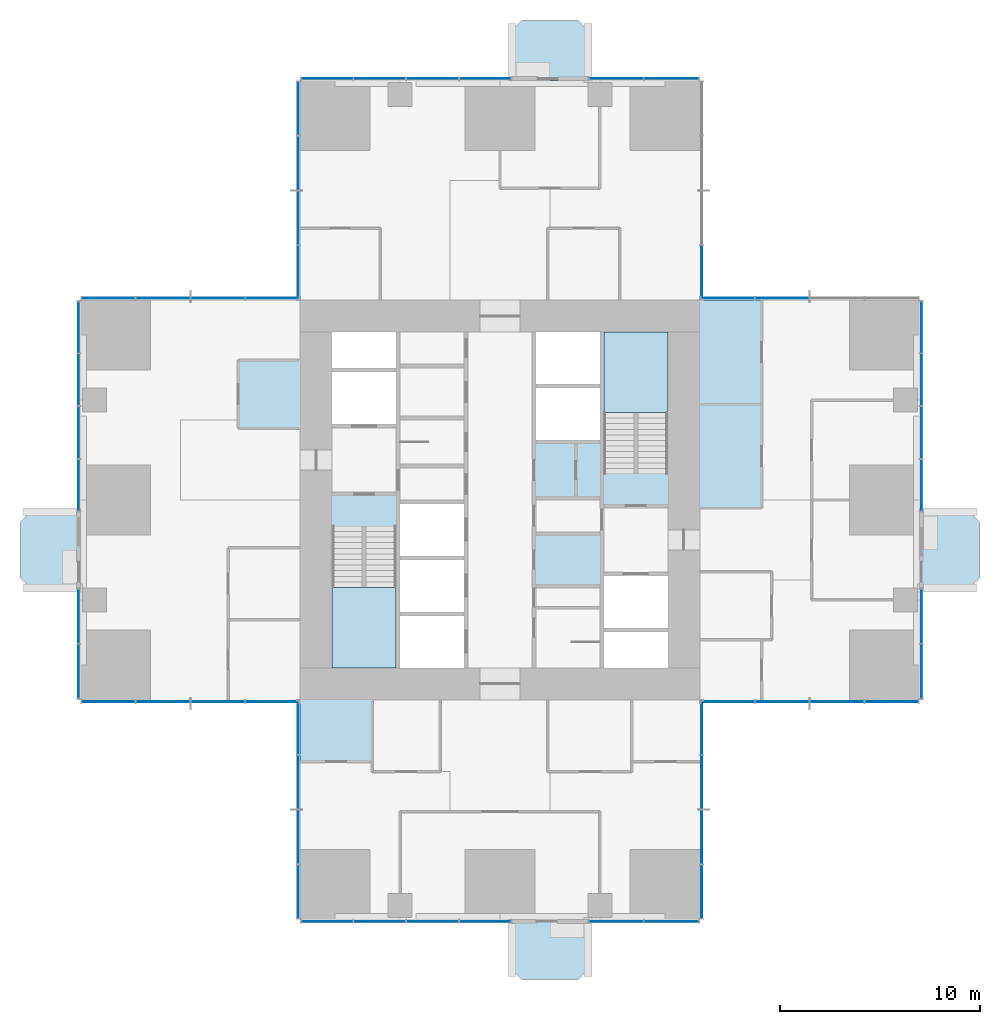
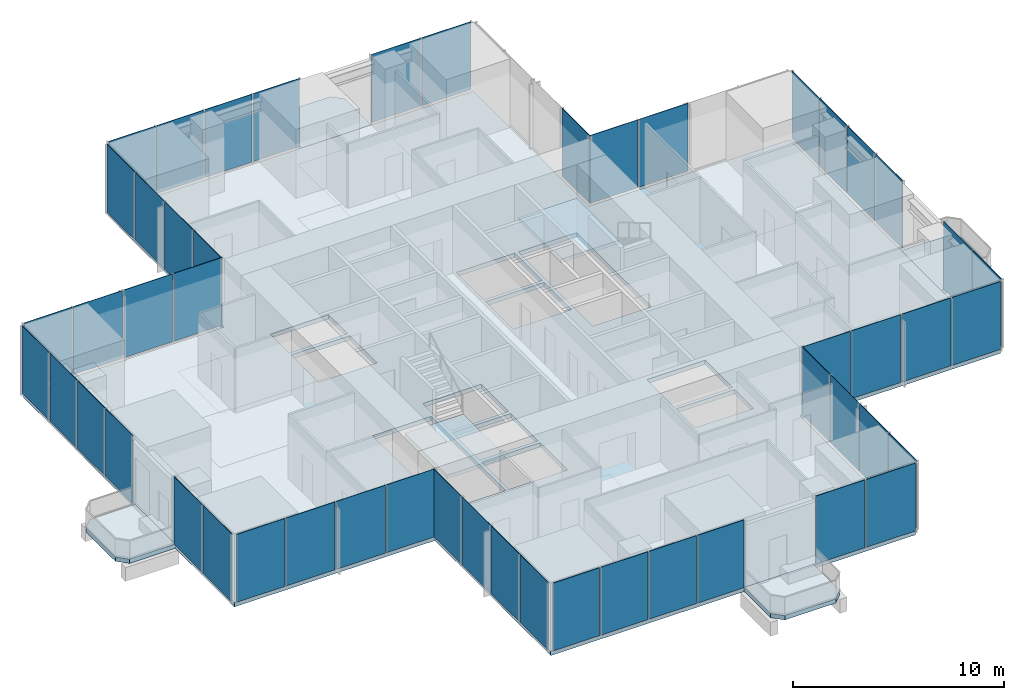
# One storey, part 7 of 13: 51 plates, 7 slabs, 18 elements without a shape of their own.
"""IFC4 building model written with IfcOpenShell, lengths in metres."""

from ifc_helpers import new_model, si_unit, direction, frame, origin, origin_2d, place, context, subcontext, project, spatial, polyline, rectangle, outline, extrude, material, layer, layer_set, type_object, element, aggregate, save


model = new_model("IFC4")

# Units and contexts
model_context = context("Model", 3, precision=1e-05, world=origin(), true_north=direction((0.0, 1.0)))
body_context = subcontext(model_context, "Body", "Model", "MODEL_VIEW")
ifc_project = project(units=[si_unit("LENGTHUNIT", "METRE"), si_unit("AREAUNIT", "SQUARE_METRE"), si_unit("VOLUMEUNIT", "CUBIC_METRE"), si_unit("PLANEANGLEUNIT", "RADIAN"), si_unit("MASSUNIT", "GRAM", prefix="KILO")], contexts=[model_context])

# Site, building, storey
site_placement = place(None, origin())
site = spatial("IfcSite", under=ifc_project, at=site_placement, CompositionType="ELEMENT")
building_placement = place(site_placement, origin())
building = spatial("IfcBuilding", under=site, at=building_placement, Name="Svetlomir Tower", CompositionType="ELEMENT")
storey_placement = place(building_placement, frame((0.0, 0.0, 96.5)))
storey = spatial("IfcBuildingStorey", under=building, at=storey_placement, Name="L22", CompositionType="ELEMENT", Elevation=96.5)

# Slabs
ifc_material_1 = material(Name="Concrete C60/75", Category="concrete")
ifc_layer_1 = layer(ifc_material_1, 0.25)
ifc_layer_set_1 = layer_set([ifc_layer_1], Name="Concrete C60/75")
slab_type_1 = type_object("IfcSlabType", Name="BALCONY SLAB 250", PredefinedType="FLOOR", material=ifc_layer_set_1)
slab_1_placement = place(storey_placement, frame((0.0, 0.0, -0.25)))
element("IfcSlab", 1, at=slab_1_placement, inside=storey, type_object=slab_type_1, Name="L22 S planted balcony", PredefinedType="FLOOR", context=body_context, shape_type="SweptSolid", body=[
    extrude(outline(polyline([(21.60009765625, -2.5), (22.10009765625, -3.0), (24.89990234375, -3.0), (25.39990234375, -2.5), (25.39990234375, 0.0), (21.60009765625, 0.0), (21.60009765625, -2.5)])), origin(), (0.0, 0.0, 1.0), 0.25),
])
slab_2_placement = place(storey_placement, frame((0.0, 0.0, -0.25)))
element("IfcSlab", 2, at=slab_2_placement, inside=storey, type_object=slab_type_1, Name="L22 E planted balcony", PredefinedType="FLOOR", context=body_context, shape_type="SweptSolid", body=[
    extrude(outline(polyline([(42.0, 16.60009765625), (44.5, 16.60009765625), (45.0, 17.10009765625), (45.0, 19.89990234375), (44.5, 20.39990234375), (42.0, 20.39990234375), (42.0, 16.60009765625)])), origin(), (0.0, 0.0, 1.0), 0.25),
])
slab_3_placement = place(storey_placement, frame((0.0, 0.0, -0.25)))
element("IfcSlab", 3, at=slab_3_placement, inside=storey, type_object=slab_type_1, Name="L22 N planted balcony", PredefinedType="FLOOR", context=body_context, shape_type="SweptSolid", body=[
    extrude(outline(polyline([(21.60009765625, 42.0), (25.39990234375, 42.0), (25.39990234375, 44.5), (24.89990234375, 45.0), (22.10009765625, 45.0), (21.60009765625, 44.5), (21.60009765625, 42.0)])), origin(), (0.0, 0.0, 1.0), 0.25),
])
slab_4_placement = place(storey_placement, frame((0.0, 0.0, -0.25)))
element("IfcSlab", 4, at=slab_4_placement, inside=storey, type_object=slab_type_1, Name="L22 W planted balcony", PredefinedType="FLOOR", context=body_context, shape_type="SweptSolid", body=[
    extrude(outline(polyline([(-2.5, 16.60009765625), (0.0, 16.60009765625), (0.0, 20.39990234375), (-2.5, 20.39990234375), (-3.0, 19.89990234375), (-3.0, 17.10009765625), (-2.5, 16.60009765625)])), origin(), (0.0, 0.0, 1.0), 0.25),
])

# Curtain wall, plates
ifc_material_2 = material(Name="Bronze anodised aluminium curtain wall", Category="aluminium")
curtain_wall_type = type_object("IfcCurtainWallType", Name="CURTAIN WALL CW1 TOWER OFFICE", PredefinedType="NOTDEFINED", material=ifc_material_2)
curtain_wall_1_placement = place(storey_placement, origin())
curtain_wall_1 = element("IfcCurtainWall", 5, at=curtain_wall_1_placement, inside=storey, type_object=curtain_wall_type, Name="Curtain wall CW1 L22", PredefinedType="NOTDEFINED")
ifc_material_3 = material(Name="Tinted double glazed unit", Category="glass")
ifc_layer_2 = layer(ifc_material_3, 0.031982421875)
ifc_layer_set_2 = layer_set([ifc_layer_2], Name="Tinted double glazed unit")
plate_type = type_object("IfcPlateType", Name="CW1 GLAZED PANEL 32", PredefinedType="CURTAIN_PANEL", material=ifc_layer_set_2)
plate_1_placement = place(storey_placement, frame((12.34130859375, -0.10009765625, 0.06494140625), z_axis=(0.0, 0.0, 1.0), x_axis=(1.0, 0.0, 0.0)))
plate_1 = element("IfcPlate", 6, at=plate_1_placement, type_object=plate_type, Name="CW1 panel 1.1", PredefinedType="CURTAIN_PANEL", context=body_context, shape_type="SweptSolid", body=[
    extrude(rectangle(XDim=2.552490234375, YDim=0.031982421875, at=origin_2d()), origin(), (0.0, 0.0, 1.0), 3.93505859375),
])
plate_2_placement = place(storey_placement, frame((14.97509765625, -0.10009765625, 0.06494140625), z_axis=(0.0, 0.0, 1.0), x_axis=(1.0, 0.0, 0.0)))
plate_2 = element("IfcPlate", 7, at=plate_2_placement, type_object=plate_type, Name="CW1 panel 2.1", PredefinedType="CURTAIN_PANEL", context=body_context, shape_type="SweptSolid", body=[
    extrude(rectangle(XDim=2.5849609375, YDim=0.031982421875, at=origin_2d()), origin(), (0.0, 0.0, 1.0), 3.93505859375),
])
plate_3_placement = place(storey_placement, frame((17.625, -0.10009765625, 0.06494140625), z_axis=(0.0, 0.0, 1.0), x_axis=(1.0, 0.0, 0.0)))
plate_3 = element("IfcPlate", 8, at=plate_3_placement, type_object=plate_type, Name="CW1 panel 3.1", PredefinedType="CURTAIN_PANEL", context=body_context, shape_type="SweptSolid", body=[
    extrude(rectangle(XDim=2.5849609375, YDim=0.031982421875, at=origin_2d()), origin(), (0.0, 0.0, 1.0), 3.93505859375),
])
plate_4_placement = place(storey_placement, frame((20.2587890625, -0.10009765625, 0.06494140625), z_axis=(0.0, 0.0, 1.0), x_axis=(1.0, 0.0, 0.0)))
plate_4 = element("IfcPlate", 9, at=plate_4_placement, type_object=plate_type, Name="CW1 panel 4.1", PredefinedType="CURTAIN_PANEL", context=body_context, shape_type="SweptSolid", body=[
    extrude(rectangle(XDim=2.552490234375, YDim=0.031982421875, at=origin_2d()), origin(), (0.0, 0.0, 1.0), 3.93505859375),
])
aggregate(curtain_wall_1, [plate_1, plate_2, plate_3, plate_4])

curtain_wall_2_placement = place(storey_placement, origin())
curtain_wall_2 = element("IfcCurtainWall", 10, at=curtain_wall_2_placement, inside=storey, type_object=curtain_wall_type, Name="Curtain wall CW1 L22", PredefinedType="NOTDEFINED")
plate_5_placement = place(storey_placement, frame((26.816162109375, -0.10009765625, 0.06494140625), z_axis=(0.0, 0.0, 1.0), x_axis=(1.0, 0.0, 0.0)))
plate_5 = element("IfcPlate", 11, at=plate_5_placement, type_object=plate_type, Name="CW1 panel 1.1", PredefinedType="CURTAIN_PANEL", context=body_context, shape_type="SweptSolid", body=[
    extrude(rectangle(XDim=2.702392578125, YDim=0.031982421875, at=origin_2d()), origin(), (0.0, 0.0, 1.0), 3.93505859375),
])
plate_6_placement = place(storey_placement, frame((29.583740234375, -0.10009765625, 0.06494140625), z_axis=(0.0, 0.0, 1.0), x_axis=(1.0, 0.0, 0.0)))
plate_6 = element("IfcPlate", 12, at=plate_6_placement, type_object=plate_type, Name="CW1 panel 2.1", PredefinedType="CURTAIN_PANEL", context=body_context, shape_type="SweptSolid", body=[
    extrude(rectangle(XDim=2.702392578125, YDim=0.031982421875, at=origin_2d()), origin(), (0.0, 0.0, 1.0), 3.93505859375),
])
aggregate(curtain_wall_2, [plate_5, plate_6])

curtain_wall_3_placement = place(storey_placement, origin())
curtain_wall_3 = element("IfcCurtainWall", 13, at=curtain_wall_3_placement, inside=storey, type_object=curtain_wall_type, Name="Curtain wall CW1 L22", PredefinedType="NOTDEFINED")
plate_7_placement = place(storey_placement, frame((31.10009765625, 1.391357421875, 0.06494140625), z_axis=(0.0, 0.0, 1.0), x_axis=(0.0, 1.0, 0.0)))
plate_7 = element("IfcPlate", 14, at=plate_7_placement, type_object=plate_type, Name="CW1 panel 1.1", PredefinedType="CURTAIN_PANEL", context=body_context, shape_type="SweptSolid", body=[
    extrude(rectangle(XDim=2.652587890625, YDim=0.031982421875, at=origin_2d()), origin(), (0.0, 0.0, 1.0), 3.93505859375),
])
plate_8_placement = place(storey_placement, frame((31.10009765625, 4.125, 0.06494140625), z_axis=(0.0, 0.0, 1.0), x_axis=(0.0, 1.0, 0.0)))
plate_8 = element("IfcPlate", 15, at=plate_8_placement, type_object=plate_type, Name="CW1 panel 2.1", PredefinedType="CURTAIN_PANEL", context=body_context, shape_type="SweptSolid", body=[
    extrude(rectangle(XDim=2.68505859375, YDim=0.031982421875, at=origin_2d()), origin(), (0.0, 0.0, 1.0), 3.93505859375),
])
plate_9_placement = place(storey_placement, frame((31.10009765625, 6.875, 0.06494140625), z_axis=(0.0, 0.0, 1.0), x_axis=(0.0, 1.0, 0.0)))
plate_9 = element("IfcPlate", 16, at=plate_9_placement, type_object=plate_type, Name="CW1 panel 3.1", PredefinedType="CURTAIN_PANEL", context=body_context, shape_type="SweptSolid", body=[
    extrude(rectangle(XDim=2.68505859375, YDim=0.031982421875, at=origin_2d()), origin(), (0.0, 0.0, 1.0), 3.93505859375),
])
plate_10_placement = place(storey_placement, frame((31.10009765625, 9.608642578125, 0.06494140625), z_axis=(0.0, 0.0, 1.0), x_axis=(0.0, 1.0, 0.0)))
plate_10 = element("IfcPlate", 17, at=plate_10_placement, type_object=plate_type, Name="CW1 panel 4.1", PredefinedType="CURTAIN_PANEL", context=body_context, shape_type="SweptSolid", body=[
    extrude(rectangle(XDim=2.652587890625, YDim=0.031982421875, at=origin_2d()), origin(), (0.0, 0.0, 1.0), 3.93505859375),
])
aggregate(curtain_wall_3, [plate_7, plate_8, plate_9, plate_10])

curtain_wall_4_placement = place(storey_placement, origin())
curtain_wall_4 = element("IfcCurtainWall", 18, at=curtain_wall_4_placement, inside=storey, type_object=curtain_wall_type, Name="Curtain wall CW1 L22", PredefinedType="NOTDEFINED")
plate_11_placement = place(storey_placement, frame((32.391357421875, 10.89990234375, 0.06494140625), z_axis=(0.0, 0.0, 1.0), x_axis=(1.0, 0.0, 0.0)))
plate_11 = element("IfcPlate", 19, at=plate_11_placement, type_object=plate_type, Name="CW1 panel 1.1", PredefinedType="CURTAIN_PANEL", context=body_context, shape_type="SweptSolid", body=[
    extrude(rectangle(XDim=2.652587890625, YDim=0.031982421875, at=origin_2d()), origin(), (0.0, 0.0, 1.0), 3.93505859375),
])
plate_12_placement = place(storey_placement, frame((35.125, 10.89990234375, 0.06494140625), z_axis=(0.0, 0.0, 1.0), x_axis=(1.0, 0.0, 0.0)))
plate_12 = element("IfcPlate", 20, at=plate_12_placement, type_object=plate_type, Name="CW1 panel 2.1", PredefinedType="CURTAIN_PANEL", context=body_context, shape_type="SweptSolid", body=[
    extrude(rectangle(XDim=2.68505859375, YDim=0.031982421875, at=origin_2d()), origin(), (0.0, 0.0, 1.0), 3.93505859375),
])
plate_13_placement = place(storey_placement, frame((37.875, 10.89990234375, 0.06494140625), z_axis=(0.0, 0.0, 1.0), x_axis=(1.0, 0.0, 0.0)))
plate_13 = element("IfcPlate", 21, at=plate_13_placement, type_object=plate_type, Name="CW1 panel 3.1", PredefinedType="CURTAIN_PANEL", context=body_context, shape_type="SweptSolid", body=[
    extrude(rectangle(XDim=2.68505859375, YDim=0.031982421875, at=origin_2d()), origin(), (0.0, 0.0, 1.0), 3.93505859375),
])
plate_14_placement = place(storey_placement, frame((40.608642578125, 10.89990234375, 0.06494140625), z_axis=(0.0, 0.0, 1.0), x_axis=(1.0, 0.0, 0.0)))
plate_14 = element("IfcPlate", 22, at=plate_14_placement, type_object=plate_type, Name="CW1 panel 4.1", PredefinedType="CURTAIN_PANEL", context=body_context, shape_type="SweptSolid", body=[
    extrude(rectangle(XDim=2.652587890625, YDim=0.031982421875, at=origin_2d()), origin(), (0.0, 0.0, 1.0), 3.93505859375),
])
aggregate(curtain_wall_4, [plate_11, plate_12, plate_13, plate_14])

curtain_wall_5_placement = place(storey_placement, origin())
curtain_wall_5 = element("IfcCurtainWall", 23, at=curtain_wall_5_placement, inside=storey, type_object=curtain_wall_type, Name="Curtain wall CW1 L22", PredefinedType="NOTDEFINED")
plate_15_placement = place(storey_placement, frame((42.10009765625, 12.416259765625, 0.06494140625), z_axis=(0.0, 0.0, 1.0), x_axis=(0.0, 1.0, 0.0)))
plate_15 = element("IfcPlate", 24, at=plate_15_placement, type_object=plate_type, Name="CW1 panel 1.1", PredefinedType="CURTAIN_PANEL", context=body_context, shape_type="SweptSolid", body=[
    extrude(rectangle(XDim=2.702392578125, YDim=0.031982421875, at=origin_2d()), origin(), (0.0, 0.0, 1.0), 3.93505859375),
])
plate_16_placement = place(storey_placement, frame((42.10009765625, 15.183837890625, 0.06494140625), z_axis=(0.0, 0.0, 1.0), x_axis=(0.0, 1.0, 0.0)))
plate_16 = element("IfcPlate", 25, at=plate_16_placement, type_object=plate_type, Name="CW1 panel 2.1", PredefinedType="CURTAIN_PANEL", context=body_context, shape_type="SweptSolid", body=[
    extrude(rectangle(XDim=2.702392578125, YDim=0.031982421875, at=origin_2d()), origin(), (0.0, 0.0, 1.0), 3.93505859375),
])
aggregate(curtain_wall_5, [plate_15, plate_16])

curtain_wall_6_placement = place(storey_placement, origin())
curtain_wall_6 = element("IfcCurtainWall", 26, at=curtain_wall_6_placement, inside=storey, type_object=curtain_wall_type, Name="Curtain wall CW1 L22", PredefinedType="NOTDEFINED")
plate_17_placement = place(storey_placement, frame((42.10009765625, 21.7412109375, 0.06494140625), z_axis=(0.0, 0.0, 1.0), x_axis=(0.0, 1.0, 0.0)))
plate_17 = element("IfcPlate", 27, at=plate_17_placement, type_object=plate_type, Name="CW1 panel 1.1", PredefinedType="CURTAIN_PANEL", context=body_context, shape_type="SweptSolid", body=[
    extrude(rectangle(XDim=2.552490234375, YDim=0.031982421875, at=origin_2d()), origin(), (0.0, 0.0, 1.0), 3.93505859375),
])
plate_18_placement = place(storey_placement, frame((42.10009765625, 24.375, 0.06494140625), z_axis=(0.0, 0.0, 1.0), x_axis=(0.0, 1.0, 0.0)))
plate_18 = element("IfcPlate", 28, at=plate_18_placement, type_object=plate_type, Name="CW1 panel 2.1", PredefinedType="CURTAIN_PANEL", context=body_context, shape_type="SweptSolid", body=[
    extrude(rectangle(XDim=2.5849609375, YDim=0.031982421875, at=origin_2d()), origin(), (0.0, 0.0, 1.0), 3.93505859375),
])
plate_19_placement = place(storey_placement, frame((42.10009765625, 27.02490234375, 0.06494140625), z_axis=(0.0, 0.0, 1.0), x_axis=(0.0, 1.0, 0.0)))
plate_19 = element("IfcPlate", 29, at=plate_19_placement, type_object=plate_type, Name="CW1 panel 3.1", PredefinedType="CURTAIN_PANEL", context=body_context, shape_type="SweptSolid", body=[
    extrude(rectangle(XDim=2.5849609375, YDim=0.031982421875, at=origin_2d()), origin(), (0.0, 0.0, 1.0), 3.93505859375),
])
plate_20_placement = place(storey_placement, frame((42.10009765625, 29.65869140625, 0.06494140625), z_axis=(0.0, 0.0, 1.0), x_axis=(0.0, 1.0, 0.0)))
plate_20 = element("IfcPlate", 30, at=plate_20_placement, type_object=plate_type, Name="CW1 panel 4.1", PredefinedType="CURTAIN_PANEL", context=body_context, shape_type="SweptSolid", body=[
    extrude(rectangle(XDim=2.552490234375, YDim=0.031982421875, at=origin_2d()), origin(), (0.0, 0.0, 1.0), 3.93505859375),
])
aggregate(curtain_wall_6, [plate_17, plate_18, plate_19, plate_20])

curtain_wall_7_placement = place(storey_placement, origin())
curtain_wall_7 = element("IfcCurtainWall", 31, at=curtain_wall_7_placement, inside=storey, type_object=curtain_wall_type, Name="Curtain wall CW1 L22", PredefinedType="NOTDEFINED")
plate_21_placement = place(storey_placement, frame((35.125, 31.10009765625, 0.06494140625), z_axis=(0.0, 0.0, 1.0), x_axis=(-1.0, 0.0, 0.0)))
plate_21 = element("IfcPlate", 32, at=plate_21_placement, type_object=plate_type, Name="CW1 panel 3.1", PredefinedType="CURTAIN_PANEL", context=body_context, shape_type="SweptSolid", body=[
    extrude(rectangle(XDim=2.68505859375, YDim=0.031982421875, at=origin_2d()), origin(), (0.0, 0.0, 1.0), 3.93505859375),
])
plate_22_placement = place(storey_placement, frame((32.391357421875, 31.10009765625, 0.06494140625), z_axis=(0.0, 0.0, 1.0), x_axis=(-1.0, 0.0, 0.0)))
plate_22 = element("IfcPlate", 33, at=plate_22_placement, type_object=plate_type, Name="CW1 panel 4.1", PredefinedType="CURTAIN_PANEL", context=body_context, shape_type="SweptSolid", body=[
    extrude(rectangle(XDim=2.652587890625, YDim=0.031982421875, at=origin_2d()), origin(), (0.0, 0.0, 1.0), 3.93505859375),
])
aggregate(curtain_wall_7, [plate_21, plate_22])

# Curtain wall, plate
curtain_wall_8_placement = place(storey_placement, origin())
curtain_wall_8 = element("IfcCurtainWall", 34, at=curtain_wall_8_placement, inside=storey, type_object=curtain_wall_type, Name="Curtain wall CW1 L22", PredefinedType="NOTDEFINED")
plate_23_placement = place(storey_placement, frame((31.10009765625, 32.391357421875, 0.06494140625), z_axis=(0.0, 0.0, 1.0), x_axis=(0.0, 1.0, 0.0)))
plate_23 = element("IfcPlate", 35, at=plate_23_placement, type_object=plate_type, Name="CW1 panel 1.1", PredefinedType="CURTAIN_PANEL", context=body_context, shape_type="SweptSolid", body=[
    extrude(rectangle(XDim=2.652587890625, YDim=0.031982421875, at=origin_2d()), origin(), (0.0, 0.0, 1.0), 3.93505859375),
])
aggregate(curtain_wall_8, [plate_23])

# Curtain wall, plates
curtain_wall_9_placement = place(storey_placement, origin())
curtain_wall_9 = element("IfcCurtainWall", 36, at=curtain_wall_9_placement, inside=storey, type_object=curtain_wall_type, Name="Curtain wall CW1 L22", PredefinedType="NOTDEFINED")
plate_24_placement = place(storey_placement, frame((29.583740234375, 42.10009765625, 0.06494140625), z_axis=(0.0, 0.0, 1.0), x_axis=(-1.0, 0.0, 0.0)))
plate_24 = element("IfcPlate", 37, at=plate_24_placement, type_object=plate_type, Name="CW1 panel 1.1", PredefinedType="CURTAIN_PANEL", context=body_context, shape_type="SweptSolid", body=[
    extrude(rectangle(XDim=2.702392578125, YDim=0.031982421875, at=origin_2d()), origin(), (0.0, 0.0, 1.0), 3.93505859375),
])
plate_25_placement = place(storey_placement, frame((26.816162109375, 42.10009765625, 0.06494140625), z_axis=(0.0, 0.0, 1.0), x_axis=(-1.0, 0.0, 0.0)))
plate_25 = element("IfcPlate", 38, at=plate_25_placement, type_object=plate_type, Name="CW1 panel 2.1", PredefinedType="CURTAIN_PANEL", context=body_context, shape_type="SweptSolid", body=[
    extrude(rectangle(XDim=2.702392578125, YDim=0.031982421875, at=origin_2d()), origin(), (0.0, 0.0, 1.0), 3.93505859375),
])
aggregate(curtain_wall_9, [plate_24, plate_25])

curtain_wall_10_placement = place(storey_placement, origin())
curtain_wall_10 = element("IfcCurtainWall", 39, at=curtain_wall_10_placement, inside=storey, type_object=curtain_wall_type, Name="Curtain wall CW1 L22", PredefinedType="NOTDEFINED")
plate_26_placement = place(storey_placement, frame((20.2587890625, 42.10009765625, 0.06494140625), z_axis=(0.0, 0.0, 1.0), x_axis=(-1.0, 0.0, 0.0)))
plate_26 = element("IfcPlate", 40, at=plate_26_placement, type_object=plate_type, Name="CW1 panel 1.1", PredefinedType="CURTAIN_PANEL", context=body_context, shape_type="SweptSolid", body=[
    extrude(rectangle(XDim=2.552490234375, YDim=0.031982421875, at=origin_2d()), origin(), (0.0, 0.0, 1.0), 3.93505859375),
])
plate_27_placement = place(storey_placement, frame((17.625, 42.10009765625, 0.06494140625), z_axis=(0.0, 0.0, 1.0), x_axis=(-1.0, 0.0, 0.0)))
plate_27 = element("IfcPlate", 41, at=plate_27_placement, type_object=plate_type, Name="CW1 panel 2.1", PredefinedType="CURTAIN_PANEL", context=body_context, shape_type="SweptSolid", body=[
    extrude(rectangle(XDim=2.5849609375, YDim=0.031982421875, at=origin_2d()), origin(), (0.0, 0.0, 1.0), 3.93505859375),
])
plate_28_placement = place(storey_placement, frame((14.97509765625, 42.10009765625, 0.06494140625), z_axis=(0.0, 0.0, 1.0), x_axis=(-1.0, 0.0, 0.0)))
plate_28 = element("IfcPlate", 42, at=plate_28_placement, type_object=plate_type, Name="CW1 panel 3.1", PredefinedType="CURTAIN_PANEL", context=body_context, shape_type="SweptSolid", body=[
    extrude(rectangle(XDim=2.5849609375, YDim=0.031982421875, at=origin_2d()), origin(), (0.0, 0.0, 1.0), 3.93505859375),
])
plate_29_placement = place(storey_placement, frame((12.34130859375, 42.10009765625, 0.06494140625), z_axis=(0.0, 0.0, 1.0), x_axis=(-1.0, 0.0, 0.0)))
plate_29 = element("IfcPlate", 43, at=plate_29_placement, type_object=plate_type, Name="CW1 panel 4.1", PredefinedType="CURTAIN_PANEL", context=body_context, shape_type="SweptSolid", body=[
    extrude(rectangle(XDim=2.552490234375, YDim=0.031982421875, at=origin_2d()), origin(), (0.0, 0.0, 1.0), 3.93505859375),
])
aggregate(curtain_wall_10, [plate_26, plate_27, plate_28, plate_29])

curtain_wall_11_placement = place(storey_placement, origin())
curtain_wall_11 = element("IfcCurtainWall", 44, at=curtain_wall_11_placement, inside=storey, type_object=curtain_wall_type, Name="Curtain wall CW1 L22", PredefinedType="NOTDEFINED")
plate_30_placement = place(storey_placement, frame((10.89990234375, 40.608642578125, 0.06494140625), z_axis=(0.0, 0.0, 1.0), x_axis=(0.0, -1.0, 0.0)))
plate_30 = element("IfcPlate", 45, at=plate_30_placement, type_object=plate_type, Name="CW1 panel 1.1", PredefinedType="CURTAIN_PANEL", context=body_context, shape_type="SweptSolid", body=[
    extrude(rectangle(XDim=2.652587890625, YDim=0.031982421875, at=origin_2d()), origin(), (0.0, 0.0, 1.0), 3.93505859375),
])
plate_31_placement = place(storey_placement, frame((10.89990234375, 37.875, 0.06494140625), z_axis=(0.0, 0.0, 1.0), x_axis=(0.0, -1.0, 0.0)))
plate_31 = element("IfcPlate", 46, at=plate_31_placement, type_object=plate_type, Name="CW1 panel 2.1", PredefinedType="CURTAIN_PANEL", context=body_context, shape_type="SweptSolid", body=[
    extrude(rectangle(XDim=2.68505859375, YDim=0.031982421875, at=origin_2d()), origin(), (0.0, 0.0, 1.0), 3.93505859375),
])
plate_32_placement = place(storey_placement, frame((10.89990234375, 35.125, 0.06494140625), z_axis=(0.0, 0.0, 1.0), x_axis=(0.0, -1.0, 0.0)))
plate_32 = element("IfcPlate", 47, at=plate_32_placement, type_object=plate_type, Name="CW1 panel 3.1", PredefinedType="CURTAIN_PANEL", context=body_context, shape_type="SweptSolid", body=[
    extrude(rectangle(XDim=2.68505859375, YDim=0.031982421875, at=origin_2d()), origin(), (0.0, 0.0, 1.0), 3.93505859375),
])
plate_33_placement = place(storey_placement, frame((10.89990234375, 32.391357421875, 0.06494140625), z_axis=(0.0, 0.0, 1.0), x_axis=(0.0, -1.0, 0.0)))
plate_33 = element("IfcPlate", 48, at=plate_33_placement, type_object=plate_type, Name="CW1 panel 4.1", PredefinedType="CURTAIN_PANEL", context=body_context, shape_type="SweptSolid", body=[
    extrude(rectangle(XDim=2.652587890625, YDim=0.031982421875, at=origin_2d()), origin(), (0.0, 0.0, 1.0), 3.93505859375),
])
aggregate(curtain_wall_11, [plate_30, plate_31, plate_32, plate_33])

curtain_wall_12_placement = place(storey_placement, origin())
curtain_wall_12 = element("IfcCurtainWall", 49, at=curtain_wall_12_placement, inside=storey, type_object=curtain_wall_type, Name="Curtain wall CW1 L22", PredefinedType="NOTDEFINED")
plate_34_placement = place(storey_placement, frame((9.608642578125, 31.10009765625, 0.06494140625), z_axis=(0.0, 0.0, 1.0), x_axis=(-1.0, 0.0, 0.0)))
plate_34 = element("IfcPlate", 50, at=plate_34_placement, type_object=plate_type, Name="CW1 panel 1.1", PredefinedType="CURTAIN_PANEL", context=body_context, shape_type="SweptSolid", body=[
    extrude(rectangle(XDim=2.652587890625, YDim=0.031982421875, at=origin_2d()), origin(), (0.0, 0.0, 1.0), 3.93505859375),
])
plate_35_placement = place(storey_placement, frame((6.875, 31.10009765625, 0.06494140625), z_axis=(0.0, 0.0, 1.0), x_axis=(-1.0, 0.0, 0.0)))
plate_35 = element("IfcPlate", 51, at=plate_35_placement, type_object=plate_type, Name="CW1 panel 2.1", PredefinedType="CURTAIN_PANEL", context=body_context, shape_type="SweptSolid", body=[
    extrude(rectangle(XDim=2.68505859375, YDim=0.031982421875, at=origin_2d()), origin(), (0.0, 0.0, 1.0), 3.93505859375),
])
plate_36_placement = place(storey_placement, frame((4.125, 31.10009765625, 0.06494140625), z_axis=(0.0, 0.0, 1.0), x_axis=(-1.0, 0.0, 0.0)))
plate_36 = element("IfcPlate", 52, at=plate_36_placement, type_object=plate_type, Name="CW1 panel 3.1", PredefinedType="CURTAIN_PANEL", context=body_context, shape_type="SweptSolid", body=[
    extrude(rectangle(XDim=2.68505859375, YDim=0.031982421875, at=origin_2d()), origin(), (0.0, 0.0, 1.0), 3.93505859375),
])
plate_37_placement = place(storey_placement, frame((1.391357421875, 31.10009765625, 0.06494140625), z_axis=(0.0, 0.0, 1.0), x_axis=(-1.0, 0.0, 0.0)))
plate_37 = element("IfcPlate", 53, at=plate_37_placement, type_object=plate_type, Name="CW1 panel 4.1", PredefinedType="CURTAIN_PANEL", context=body_context, shape_type="SweptSolid", body=[
    extrude(rectangle(XDim=2.652587890625, YDim=0.031982421875, at=origin_2d()), origin(), (0.0, 0.0, 1.0), 3.93505859375),
])
aggregate(curtain_wall_12, [plate_34, plate_35, plate_36, plate_37])

curtain_wall_13_placement = place(storey_placement, origin())
curtain_wall_13 = element("IfcCurtainWall", 54, at=curtain_wall_13_placement, inside=storey, type_object=curtain_wall_type, Name="Curtain wall CW1 L22", PredefinedType="NOTDEFINED")
plate_38_placement = place(storey_placement, frame((-0.10009765625, 29.65869140625, 0.06494140625), z_axis=(0.0, 0.0, 1.0), x_axis=(0.0, -1.0, 0.0)))
plate_38 = element("IfcPlate", 55, at=plate_38_placement, type_object=plate_type, Name="CW1 panel 1.1", PredefinedType="CURTAIN_PANEL", context=body_context, shape_type="SweptSolid", body=[
    extrude(rectangle(XDim=2.552490234375, YDim=0.031982421875, at=origin_2d()), origin(), (0.0, 0.0, 1.0), 3.93505859375),
])
plate_39_placement = place(storey_placement, frame((-0.10009765625, 27.02490234375, 0.06494140625), z_axis=(0.0, 0.0, 1.0), x_axis=(0.0, -1.0, 0.0)))
plate_39 = element("IfcPlate", 56, at=plate_39_placement, type_object=plate_type, Name="CW1 panel 2.1", PredefinedType="CURTAIN_PANEL", context=body_context, shape_type="SweptSolid", body=[
    extrude(rectangle(XDim=2.5849609375, YDim=0.031982421875, at=origin_2d()), origin(), (0.0, 0.0, 1.0), 3.93505859375),
])
plate_40_placement = place(storey_placement, frame((-0.10009765625, 24.375, 0.06494140625), z_axis=(0.0, 0.0, 1.0), x_axis=(0.0, -1.0, 0.0)))
plate_40 = element("IfcPlate", 57, at=plate_40_placement, type_object=plate_type, Name="CW1 panel 3.1", PredefinedType="CURTAIN_PANEL", context=body_context, shape_type="SweptSolid", body=[
    extrude(rectangle(XDim=2.5849609375, YDim=0.031982421875, at=origin_2d()), origin(), (0.0, 0.0, 1.0), 3.93505859375),
])
plate_41_placement = place(storey_placement, frame((-0.10009765625, 21.7412109375, 0.06494140625), z_axis=(0.0, 0.0, 1.0), x_axis=(0.0, -1.0, 0.0)))
plate_41 = element("IfcPlate", 58, at=plate_41_placement, type_object=plate_type, Name="CW1 panel 4.1", PredefinedType="CURTAIN_PANEL", context=body_context, shape_type="SweptSolid", body=[
    extrude(rectangle(XDim=2.552490234375, YDim=0.031982421875, at=origin_2d()), origin(), (0.0, 0.0, 1.0), 3.93505859375),
])
aggregate(curtain_wall_13, [plate_38, plate_39, plate_40, plate_41])

curtain_wall_14_placement = place(storey_placement, origin())
curtain_wall_14 = element("IfcCurtainWall", 59, at=curtain_wall_14_placement, inside=storey, type_object=curtain_wall_type, Name="Curtain wall CW1 L22", PredefinedType="NOTDEFINED")
plate_42_placement = place(storey_placement, frame((-0.10009765625, 15.183837890625, 0.06494140625), z_axis=(0.0, 0.0, 1.0), x_axis=(0.0, -1.0, 0.0)))
plate_42 = element("IfcPlate", 60, at=plate_42_placement, type_object=plate_type, Name="CW1 panel 1.1", PredefinedType="CURTAIN_PANEL", context=body_context, shape_type="SweptSolid", body=[
    extrude(rectangle(XDim=2.702392578125, YDim=0.031982421875, at=origin_2d()), origin(), (0.0, 0.0, 1.0), 3.93505859375),
])
plate_43_placement = place(storey_placement, frame((-0.10009765625, 12.416259765625, 0.06494140625), z_axis=(0.0, 0.0, 1.0), x_axis=(0.0, -1.0, 0.0)))
plate_43 = element("IfcPlate", 61, at=plate_43_placement, type_object=plate_type, Name="CW1 panel 2.1", PredefinedType="CURTAIN_PANEL", context=body_context, shape_type="SweptSolid", body=[
    extrude(rectangle(XDim=2.702392578125, YDim=0.031982421875, at=origin_2d()), origin(), (0.0, 0.0, 1.0), 3.93505859375),
])
aggregate(curtain_wall_14, [plate_42, plate_43])

curtain_wall_15_placement = place(storey_placement, origin())
curtain_wall_15 = element("IfcCurtainWall", 62, at=curtain_wall_15_placement, inside=storey, type_object=curtain_wall_type, Name="Curtain wall CW1 L22", PredefinedType="NOTDEFINED")
plate_44_placement = place(storey_placement, frame((1.391357421875, 10.89990234375, 0.06494140625), z_axis=(0.0, 0.0, 1.0), x_axis=(1.0, 0.0, 0.0)))
plate_44 = element("IfcPlate", 63, at=plate_44_placement, type_object=plate_type, Name="CW1 panel 1.1", PredefinedType="CURTAIN_PANEL", context=body_context, shape_type="SweptSolid", body=[
    extrude(rectangle(XDim=2.652587890625, YDim=0.031982421875, at=origin_2d()), origin(), (0.0, 0.0, 1.0), 3.93505859375),
])
plate_45_placement = place(storey_placement, frame((4.125, 10.89990234375, 0.06494140625), z_axis=(0.0, 0.0, 1.0), x_axis=(1.0, 0.0, 0.0)))
plate_45 = element("IfcPlate", 64, at=plate_45_placement, type_object=plate_type, Name="CW1 panel 2.1", PredefinedType="CURTAIN_PANEL", context=body_context, shape_type="SweptSolid", body=[
    extrude(rectangle(XDim=2.68505859375, YDim=0.031982421875, at=origin_2d()), origin(), (0.0, 0.0, 1.0), 3.93505859375),
])
plate_46_placement = place(storey_placement, frame((6.875, 10.89990234375, 0.06494140625), z_axis=(0.0, 0.0, 1.0), x_axis=(1.0, 0.0, 0.0)))
plate_46 = element("IfcPlate", 65, at=plate_46_placement, type_object=plate_type, Name="CW1 panel 3.1", PredefinedType="CURTAIN_PANEL", context=body_context, shape_type="SweptSolid", body=[
    extrude(rectangle(XDim=2.68505859375, YDim=0.031982421875, at=origin_2d()), origin(), (0.0, 0.0, 1.0), 3.93505859375),
])
plate_47_placement = place(storey_placement, frame((9.608642578125, 10.89990234375, 0.06494140625), z_axis=(0.0, 0.0, 1.0), x_axis=(1.0, 0.0, 0.0)))
plate_47 = element("IfcPlate", 66, at=plate_47_placement, type_object=plate_type, Name="CW1 panel 4.1", PredefinedType="CURTAIN_PANEL", context=body_context, shape_type="SweptSolid", body=[
    extrude(rectangle(XDim=2.652587890625, YDim=0.031982421875, at=origin_2d()), origin(), (0.0, 0.0, 1.0), 3.93505859375),
])
aggregate(curtain_wall_15, [plate_44, plate_45, plate_46, plate_47])

curtain_wall_16_placement = place(storey_placement, origin())
curtain_wall_16 = element("IfcCurtainWall", 67, at=curtain_wall_16_placement, inside=storey, type_object=curtain_wall_type, Name="Curtain wall CW1 L22", PredefinedType="NOTDEFINED")
plate_48_placement = place(storey_placement, frame((10.89990234375, 9.608642578125, 0.06494140625), z_axis=(0.0, 0.0, 1.0), x_axis=(0.0, -1.0, 0.0)))
plate_48 = element("IfcPlate", 68, at=plate_48_placement, type_object=plate_type, Name="CW1 panel 1.1", PredefinedType="CURTAIN_PANEL", context=body_context, shape_type="SweptSolid", body=[
    extrude(rectangle(XDim=2.652587890625, YDim=0.031982421875, at=origin_2d()), origin(), (0.0, 0.0, 1.0), 3.93505859375),
])
plate_49_placement = place(storey_placement, frame((10.89990234375, 6.875, 0.06494140625), z_axis=(0.0, 0.0, 1.0), x_axis=(0.0, -1.0, 0.0)))
plate_49 = element("IfcPlate", 69, at=plate_49_placement, type_object=plate_type, Name="CW1 panel 2.1", PredefinedType="CURTAIN_PANEL", context=body_context, shape_type="SweptSolid", body=[
    extrude(rectangle(XDim=2.68505859375, YDim=0.031982421875, at=origin_2d()), origin(), (0.0, 0.0, 1.0), 3.93505859375),
])
plate_50_placement = place(storey_placement, frame((10.89990234375, 4.125, 0.06494140625), z_axis=(0.0, 0.0, 1.0), x_axis=(0.0, -1.0, 0.0)))
plate_50 = element("IfcPlate", 70, at=plate_50_placement, type_object=plate_type, Name="CW1 panel 3.1", PredefinedType="CURTAIN_PANEL", context=body_context, shape_type="SweptSolid", body=[
    extrude(rectangle(XDim=2.68505859375, YDim=0.031982421875, at=origin_2d()), origin(), (0.0, 0.0, 1.0), 3.93505859375),
])
plate_51_placement = place(storey_placement, frame((10.89990234375, 1.391357421875, 0.06494140625), z_axis=(0.0, 0.0, 1.0), x_axis=(0.0, -1.0, 0.0)))
plate_51 = element("IfcPlate", 71, at=plate_51_placement, type_object=plate_type, Name="CW1 panel 4.1", PredefinedType="CURTAIN_PANEL", context=body_context, shape_type="SweptSolid", body=[
    extrude(rectangle(XDim=2.652587890625, YDim=0.031982421875, at=origin_2d()), origin(), (0.0, 0.0, 1.0), 3.93505859375),
])
aggregate(curtain_wall_16, [plate_48, plate_49, plate_50, plate_51])

# Slab
ifc_material_4 = material(Name="Concrete C60/75", Category="concrete")
ifc_layer_3 = layer(ifc_material_4, 0.25)
ifc_layer_set_3 = layer_set([ifc_layer_3], Name="Concrete C60/75")
slab_type_2 = type_object("IfcSlabType", Name="FLOOR SLAB 250", PredefinedType="FLOOR", material=ifc_layer_set_3)
slab_5_placement = place(storey_placement, frame((0.0, 0.0, -0.25)))
element("IfcSlab", 72, at=slab_5_placement, inside=storey, type_object=slab_type_2, Name="L22 floor slab", PredefinedType="FLOOR", context=body_context, shape_type="SweptSolid", body=[
    extrude(outline(polyline([(11.0, 0.0), (31.0, 0.0), (31.0, 11.0), (42.0, 11.0), (42.0, 31.0), (31.0, 31.0), (31.0, 42.0), (11.0, 42.0), (11.0, 31.0), (0.0, 31.0), (0.0, 11.0), (11.0, 11.0), (11.0, 0.0)]), holes=[polyline([(12.60009765625, 24.800048828125), (15.800048828125, 24.800048828125), (15.800048828125, 27.39990234375), (12.60009765625, 27.39990234375), (12.60009765625, 24.800048828125)]), polyline([(26.199951171875, 14.60009765625), (29.39990234375, 14.60009765625), (29.39990234375, 17.199951171875), (26.199951171875, 17.199951171875), (26.199951171875, 14.60009765625)]), polyline([(16.0, 12.60009765625), (19.199951171875, 12.60009765625), (19.199951171875, 15.199951171875), (16.0, 15.199951171875), (16.0, 12.60009765625)]), polyline([(16.0, 15.39990234375), (19.199951171875, 15.39990234375), (19.199951171875, 18.0), (16.0, 18.0), (16.0, 15.39990234375)]), polyline([(16.0, 18.199951171875), (19.199951171875, 18.199951171875), (19.199951171875, 20.800048828125), (16.0, 20.800048828125), (16.0, 18.199951171875)]), polyline([(22.800048828125, 24.0), (26.0, 24.0), (26.0, 26.60009765625), (22.800048828125, 26.60009765625), (22.800048828125, 24.0)]), polyline([(22.800048828125, 26.800048828125), (26.0, 26.800048828125), (26.0, 29.39990234375), (22.800048828125, 29.39990234375), (22.800048828125, 26.800048828125)]), polyline([(12.60009765625, 27.60009765625), (15.800048828125, 27.60009765625), (15.800048828125, 29.39990234375), (12.60009765625, 29.39990234375), (12.60009765625, 27.60009765625)]), polyline([(26.199951171875, 12.60009765625), (29.39990234375, 12.60009765625), (29.39990234375, 14.39990234375), (26.199951171875, 14.39990234375), (26.199951171875, 12.60009765625)]), polyline([(12.60009765625, 12.60009765625), (15.800048828125, 12.60009765625), (15.800048828125, 19.679931640625), (12.60009765625, 19.679931640625), (12.60009765625, 12.60009765625)]), polyline([(26.199951171875, 22.320068359375), (29.39990234375, 22.320068359375), (29.39990234375, 29.39990234375), (26.199951171875, 29.39990234375), (26.199951171875, 22.320068359375)])]), origin(), (0.0, 0.0, 1.0), 0.25),
])

# Stair, slab
ifc_material_5 = material(Name="Concrete C60/75", Category="concrete")
stair_type = type_object("IfcStairType", Name="EXIT STAIR 3200 RISE 4000", PredefinedType="HALF_TURN_STAIR", material=ifc_material_5)
stair_1_placement = place(storey_placement, origin())
stair_1 = element("IfcStair", 73, at=stair_1_placement, inside=storey, type_object=stair_type, Name="Stair S1 L22 to L23", PredefinedType="HALF_TURN_STAIR")
ifc_material_6 = material(Name="Concrete C60/75", Category="concrete")
ifc_layer_4 = layer(ifc_material_6, 0.199951171875)
ifc_layer_set_4 = layer_set([ifc_layer_4], Name="Concrete C60/75")
slab_type_3 = type_object("IfcSlabType", Name="STAIR LANDING 200", PredefinedType="LANDING", material=ifc_layer_set_4)
slab_6_placement = place(storey_placement, frame((0.0, 0.0, 1.800048828125)))
slab_6 = element("IfcSlab", 74, at=slab_6_placement, type_object=slab_type_3, Name="S1 landing 1", PredefinedType="LANDING", context=body_context, shape_type="SweptSolid", body=[
    extrude(outline(polyline([(12.60009765625, 12.60009765625), (15.800048828125, 12.60009765625), (15.800048828125, 16.6201171875), (12.60009765625, 16.6201171875), (12.60009765625, 12.60009765625)])), origin(), (0.0, 0.0, 1.0), 0.199951171875),
])
aggregate(stair_1, [slab_6])

stair_2_placement = place(storey_placement, origin())
stair_2 = element("IfcStair", 75, at=stair_2_placement, inside=storey, type_object=stair_type, Name="Stair S2 L22 to L23", PredefinedType="HALF_TURN_STAIR")
slab_7_placement = place(storey_placement, frame((0.0, 0.0, 1.800048828125)))
slab_7 = element("IfcSlab", 76, at=slab_7_placement, type_object=slab_type_3, Name="S2 landing 1", PredefinedType="LANDING", context=body_context, shape_type="SweptSolid", body=[
    extrude(outline(polyline([(26.199951171875, 25.3798828125), (29.39990234375, 25.3798828125), (29.39990234375, 29.39990234375), (26.199951171875, 29.39990234375), (26.199951171875, 25.3798828125)])), origin(), (0.0, 0.0, 1.0), 0.199951171875),
])
aggregate(stair_2, [slab_7])

save(model, "model.ifc")
